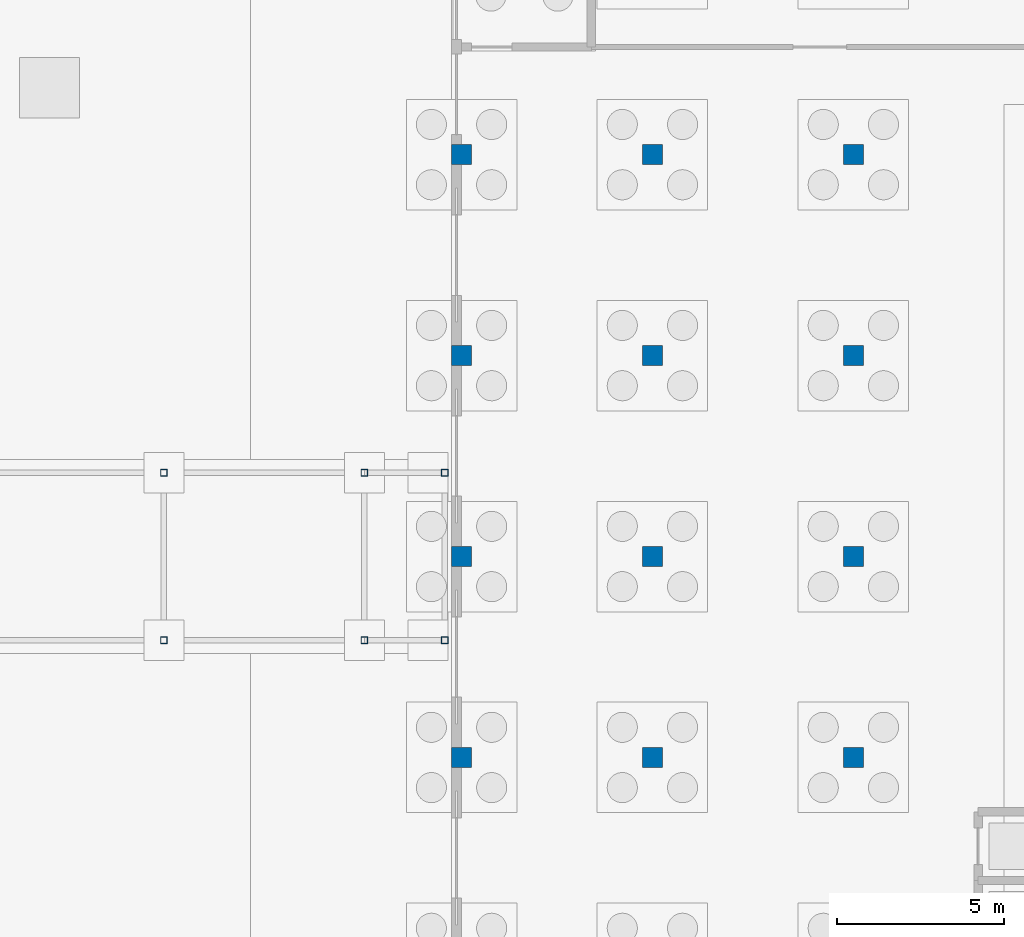
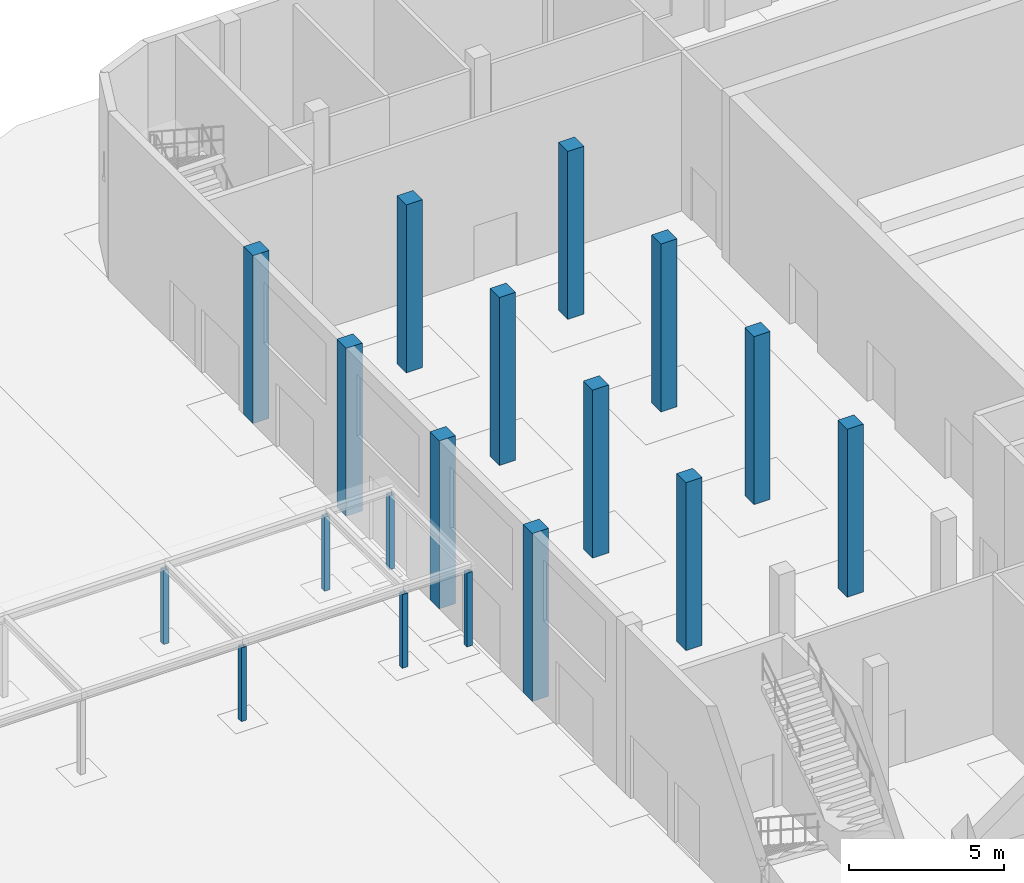
# One storey, part 6 of 44: 18 columns.
"""IFC4 building model written with IfcOpenShell, lengths in metres."""

from ifc_helpers import new_model, si_unit, direction, frame, origin, origin_2d, place, context, subcontext, project, spatial, rectangle, hollow_rectangle, extrude, material, material_profile, profile_set, type_object, element, save


model = new_model("IFC4")

# Units and contexts
model_context = context("Model", 3, precision=1e-05, world=origin(), true_north=direction((0.0, 1.0)))
body_context = subcontext(model_context, "Body", "Model", "MODEL_VIEW")
ifc_project = project(units=[si_unit("LENGTHUNIT", "METRE"), si_unit("AREAUNIT", "SQUARE_METRE"), si_unit("VOLUMEUNIT", "CUBIC_METRE"), si_unit("PLANEANGLEUNIT", "RADIAN"), si_unit("MASSUNIT", "GRAM", prefix="KILO")], contexts=[model_context])

# Site, building, storey
site_placement = place(None, origin())
site = spatial("IfcSite", under=ifc_project, at=site_placement, CompositionType="ELEMENT")
building_placement = place(site_placement, origin())
building = spatial("IfcBuilding", under=site, at=building_placement, Name="Nakaniwa Court", CompositionType="ELEMENT")
storey_placement = place(building_placement, origin())
storey = spatial("IfcBuildingStorey", under=building, at=storey_placement, Name="L00", CompositionType="ELEMENT", Elevation=0.0)

# Columns
ifc_material_1 = material(Name="Steel AS/NZS 1163 Grade C350L0", Category="steel")
ifc_material_profile_1 = material_profile(ifc_material_1, hollow_rectangle(XDim=0.199951171875, YDim=0.199951171875, WallThickness=0.009033203125, at=origin_2d()), Name="SHS 200x200x9")
ifc_profile_set_1 = profile_set([ifc_material_profile_1], Name="Steel AS/NZS 1163 Grade C350L0")
column_type_1 = type_object("IfcColumnType", Name="Canopy column SHS 200x200x9", PredefinedType="COLUMN", material=ifc_profile_set_1)
for number, where, z_axis, x_axis, name in (
    (1, (143.41357421875, 77.5, 0.0), (0.0, 0.0, 1.0), (1.0, 0.0, 0.0), "Canopy column 6S"),
    (2, (143.41357421875, 82.5, 0.0), (0.0, 0.0, 1.0), (1.0, 0.0, 0.0), "Canopy column 6N"),
    (3, (149.39990234375, 77.5, 0.0), (0.0, 0.0, 1.0), (1.0, 0.0, 0.0), "Canopy column 7S"),
    (4, (149.39990234375, 82.5, 0.0), (0.0, 0.0, 1.0), (1.0, 0.0, 0.0), "Canopy column 7N"),
    (5, (151.800048828125, 77.5, 0.0), (0.0, 0.0, 1.0), (1.0, 0.0, 0.0), "Canopy column 8S"),
    (6, (151.800048828125, 82.5, 0.0), (0.0, 0.0, 1.0), (1.0, 0.0, 0.0), "Canopy column 8N"),
):
    element("IfcColumn", number, at=place(storey_placement, frame(where, z_axis=z_axis, x_axis=x_axis)), inside=storey, type_object=column_type_1, Name=name, PredefinedType="COLUMN", context=body_context, shape_type="SweptSolid", body=[
        extrude(hollow_rectangle(XDim=0.199951171875, YDim=0.199951171875, WallThickness=0.009033203125, at=origin_2d()), origin(), (0.0, 0.0, 1.0), 2.89990234375),
    ])
ifc_material_2 = material(Name="Concrete C50/60", Category="concrete")
ifc_material_profile_2 = material_profile(ifc_material_2, rectangle(XDim=0.60009765625, YDim=0.60009765625, at=origin_2d()), Name="RC 600x600")
ifc_profile_set_2 = profile_set([ifc_material_profile_2], Name="Concrete C50/60")
column_type_2 = type_object("IfcColumnType", Name="Hall column RC 600x600 C50/60", PredefinedType="COLUMN", material=ifc_profile_set_2)
for number, where, z_axis, x_axis, name in (
    (7, (152.300048828125, 74.0, 0.0), (0.0, 0.0, 1.0), (1.0, 0.0, 0.0), "Hall column W3 L00"),
    (8, (152.300048828125, 80.0, 0.0), (0.0, 0.0, 1.0), (1.0, 0.0, 0.0), "Hall column W4 L00"),
    (9, (152.300048828125, 86.0, 0.0), (0.0, 0.0, 1.0), (1.0, 0.0, 0.0), "Hall column W5 L00"),
    (10, (152.300048828125, 92.0, 0.0), (0.0, 0.0, 1.0), (1.0, 0.0, 0.0), "Hall column W6 L00"),
    (11, (158.0, 74.0, 0.0), (0.0, 0.0, 1.0), (1.0, 0.0, 0.0), "Hall column F1-3 L00"),
    (12, (158.0, 80.0, 0.0), (0.0, 0.0, 1.0), (1.0, 0.0, 0.0), "Hall column F1-4 L00"),
    (13, (158.0, 86.0, 0.0), (0.0, 0.0, 1.0), (1.0, 0.0, 0.0), "Hall column F1-5 L00"),
    (14, (158.0, 92.0, 0.0), (0.0, 0.0, 1.0), (1.0, 0.0, 0.0), "Hall column F1-6 L00"),
    (15, (164.0, 74.0, 0.0), (0.0, 0.0, 1.0), (1.0, 0.0, 0.0), "Hall column F2-3 L00"),
    (16, (164.0, 80.0, 0.0), (0.0, 0.0, 1.0), (1.0, 0.0, 0.0), "Hall column F2-4 L00"),
    (17, (164.0, 86.0, 0.0), (0.0, 0.0, 1.0), (1.0, 0.0, 0.0), "Hall column F2-5 L00"),
    (18, (164.0, 92.0, 0.0), (0.0, 0.0, 1.0), (1.0, 0.0, 0.0), "Hall column F2-6 L00"),
):
    element("IfcColumn", number, at=place(storey_placement, frame(where, z_axis=z_axis, x_axis=x_axis)), inside=storey, type_object=column_type_2, Name=name, PredefinedType="COLUMN", context=body_context, shape_type="SweptSolid", body=[
        extrude(rectangle(XDim=0.60009765625, YDim=0.60009765625, at=origin_2d()), origin(), (0.0, 0.0, 1.0), 6.60009765625),
    ])

save(model, "model.ifc")
